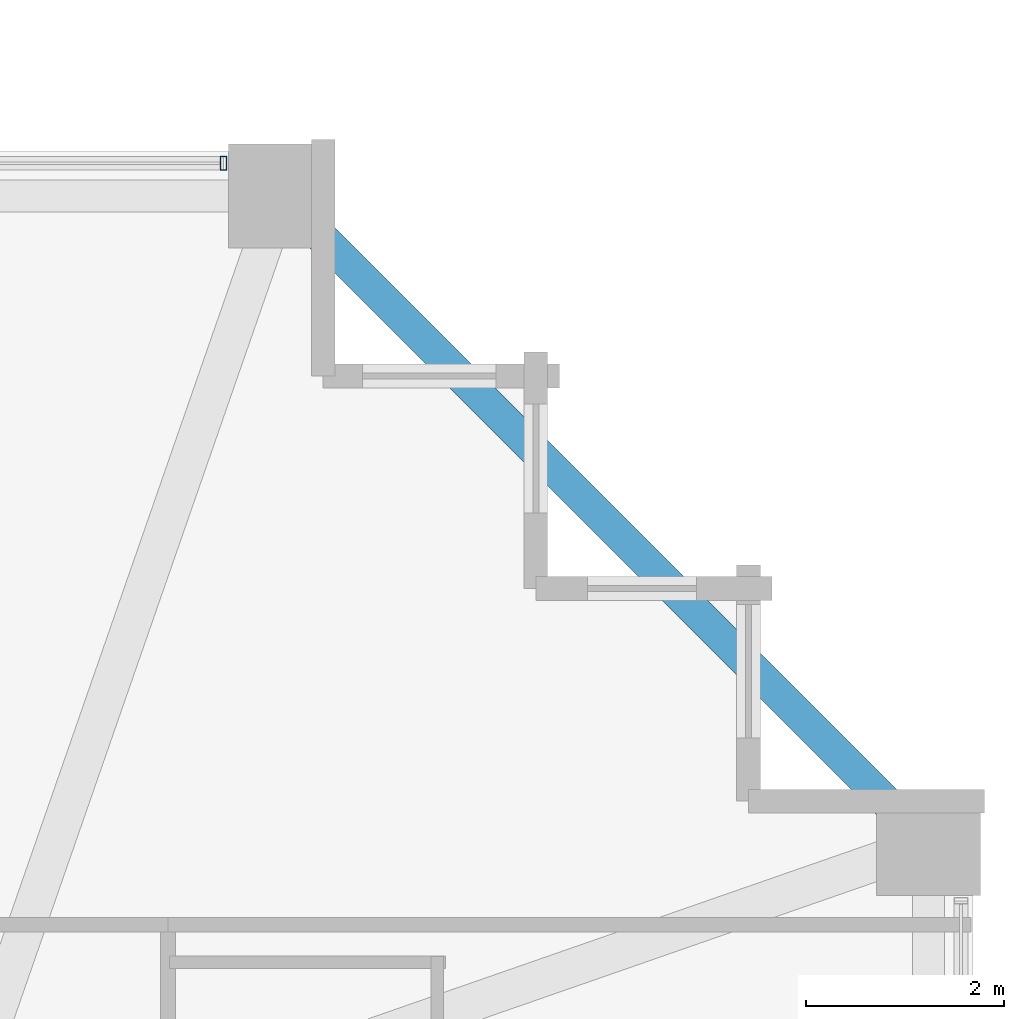
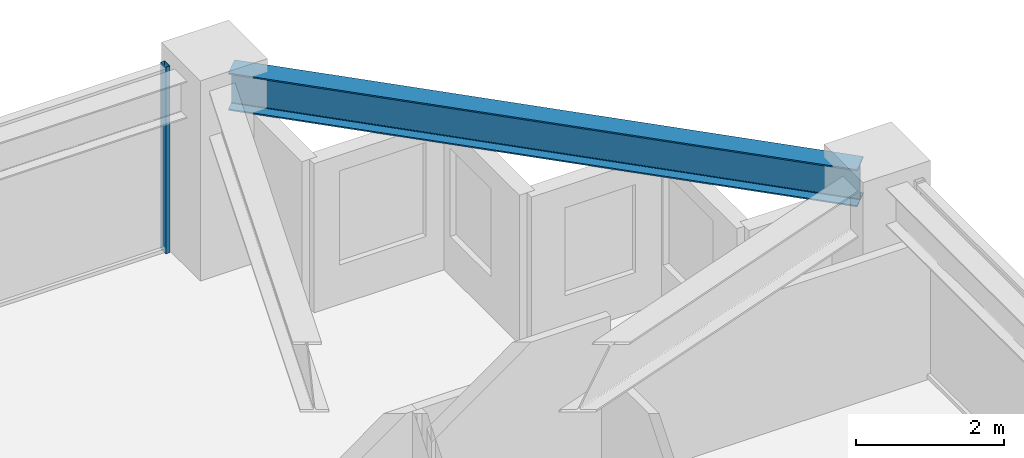
# One storey, part 25 of 38: 1 beam, 1 member, 1 element without a shape of its own.
"""IFC4 building model written with IfcOpenShell, lengths in metres."""

from ifc_helpers import new_model, si_unit, direction, frame, origin, origin_2d, place, context, subcontext, project, spatial, hollow_rectangle, i_section, extrude, material, material_profile, profile_set, type_object, element, aggregate, save


model = new_model("IFC4")

# Units and contexts
model_context = context("Model", 3, precision=1e-05, world=origin(), true_north=direction((0.0, 1.0)))
body_context = subcontext(model_context, "Body", "Model", "MODEL_VIEW")
ifc_project = project(units=[si_unit("LENGTHUNIT", "METRE"), si_unit("AREAUNIT", "SQUARE_METRE"), si_unit("VOLUMEUNIT", "CUBIC_METRE"), si_unit("PLANEANGLEUNIT", "RADIAN"), si_unit("MASSUNIT", "GRAM", prefix="KILO")], contexts=[model_context])

# Site, building, storey
site_placement = place(None, origin())
site = spatial("IfcSite", under=ifc_project, at=site_placement, CompositionType="ELEMENT")
building_placement = place(site_placement, origin())
building = spatial("IfcBuilding", under=site, at=building_placement, Name="Kolvaren Belvedere", CompositionType="ELEMENT")
storey_placement = place(building_placement, frame((0.0, 0.0, 98.60009765625)))
storey = spatial("IfcBuildingStorey", under=building, at=storey_placement, Name="L28", CompositionType="ELEMENT", Elevation=98.60009765625)

# Beam
ifc_material_1 = material(Name="Structural steel ASTM A992 Grade 50", Category="steel")
ifc_material_profile_1 = material_profile(ifc_material_1, i_section(OverallWidth=0.324951171875, OverallDepth=0.615966796875, WebThickness=0.013916015625, FlangeThickness=0.021484375, FilletRadius=0.02001953125, at=origin_2d()), Name="W24X117")
ifc_profile_set_1 = profile_set([ifc_material_profile_1], Name="Structural steel ASTM A992 Grade 50")
beam_type = type_object("IfcBeamType", Name="BM-SPAN-W24X117", PredefinedType="SPANDREL", material=ifc_profile_set_1)
beam_placement = place(storey_placement, frame((19.782958984375, 13.567138671875, 2.77197265625), z_axis=(-0.707106781187, 0.707106781187, 0.0), x_axis=(-0.707106781187, -0.707106781187, 0.0)))
element("IfcBeam", 1, at=beam_placement, inside=storey, type_object=beam_type, Name="L28 Perimeter Spandrel E4-N4", PredefinedType="SPANDREL", context=body_context, shape_type="SweptSolid", body=[
    extrude(i_section(OverallWidth=0.324951171875, OverallDepth=0.615966796875, WebThickness=0.013916015625, FlangeThickness=0.021484375, FilletRadius=0.02001953125, at=origin_2d()), origin(), (0.0, 0.0, 1.0), 8.79052734375),
])

# Curtain wall, member
ifc_material_2 = material(Name="Anodised pale-metal aluminium AA 6063-T6", Category="aluminium")
curtain_wall_type = type_object("IfcCurtainWallType", Name="CW-Z2-MID", PredefinedType="NOTDEFINED", material=ifc_material_2)
curtain_wall_placement = place(storey_placement, origin())
curtain_wall = element("IfcCurtainWall", 2, at=curtain_wall_placement, inside=storey, type_object=curtain_wall_type, Name="L28 Unitised Curtain Wall FCW-L28-N2-B2", PredefinedType="NOTDEFINED")
ifc_material_3 = material(Name="Anodised pale-metal aluminium AA 6063-T6", Category="aluminium")
ifc_material_profile_2 = material_profile(ifc_material_3, hollow_rectangle(XDim=0.06494140625, YDim=0.139892578125, WallThickness=0.00390625, at=origin_2d()), Name="ALU-MUL-140X65")
ifc_profile_set_2 = profile_set([ifc_material_profile_2], Name="Anodised pale-metal aluminium AA 6063-T6")
member_type = type_object("IfcMemberType", Name="CW-MUL-140", PredefinedType="MULLION", material=ifc_profile_set_2)
member_placement = place(storey_placement, frame((12.822509765625, 20.280029296875, 0.0), z_axis=(0.0, 0.0, 1.0), x_axis=(1.0, 0.0, 0.0)))
member = element("IfcMember", 3, at=member_placement, type_object=member_type, Name="FCW-L28-N2-B2 Unitised Mullion 3", PredefinedType="MULLION", context=body_context, shape_type="SweptSolid", body=[
    extrude(hollow_rectangle(XDim=0.06494140625, YDim=0.139892578125, WallThickness=0.00390625, at=origin_2d()), origin(), (0.0, 0.0, 1.0), 3.079833984375),
])
aggregate(curtain_wall, [member])

save(model, "model.ifc")
